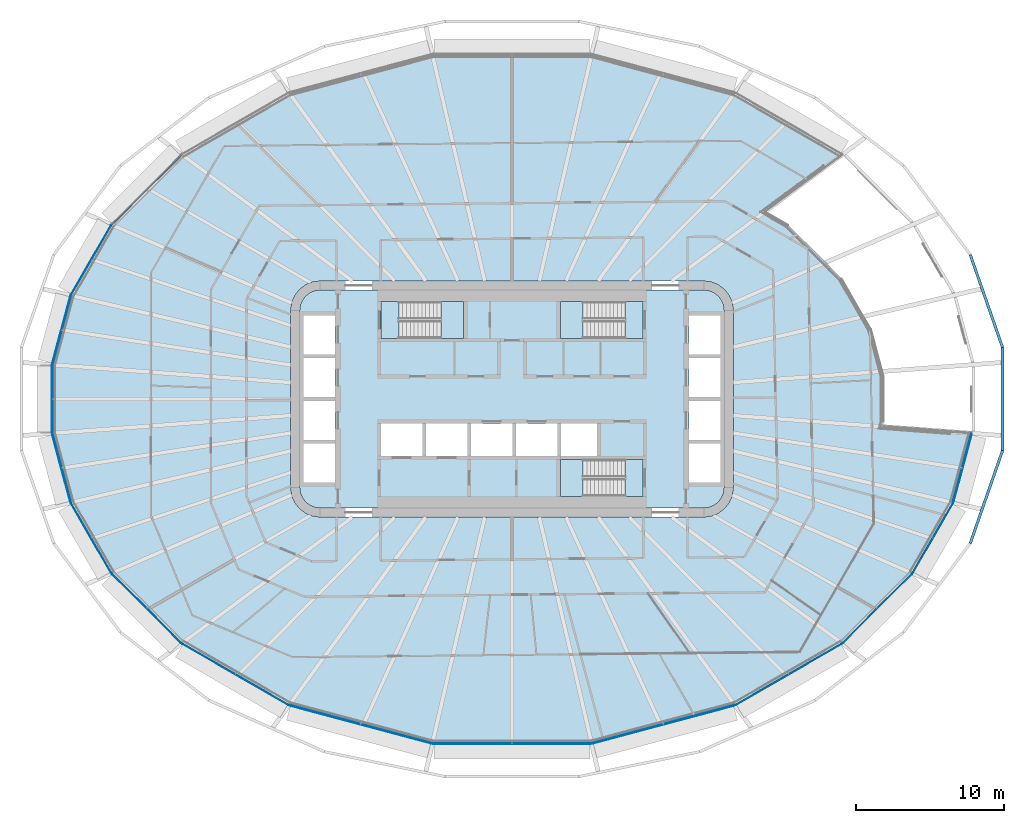
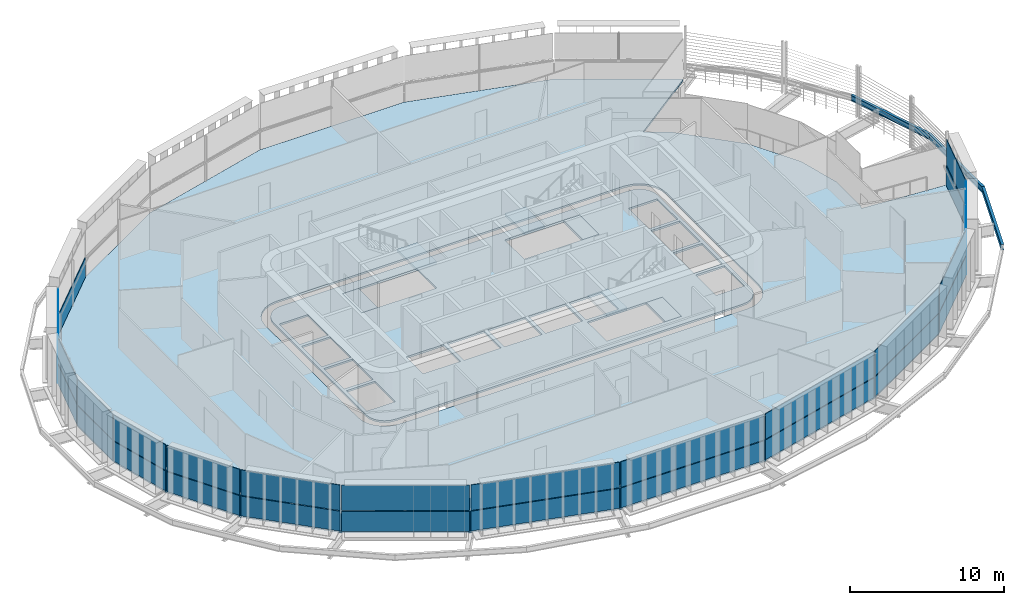
# One storey, part 11 of 24: 29 plates, 8 slabs, 3 beams, 18 elements without a shape of their own.
"""IFC4 building model written with IfcOpenShell, lengths in metres."""

from ifc_helpers import new_model, si_unit, direction, frame, origin, origin_2d, place, context, subcontext, project, spatial, polyline, i_section, outline, extrude, material, layer, layer_set, material_profile, profile_set, type_object, element, aggregate, save


model = new_model("IFC4")

# Units and contexts
model_context = context("Model", 3, precision=1e-05, world=origin(), true_north=direction((0.0, 1.0)))
body_context = subcontext(model_context, "Body", "Model", "MODEL_VIEW")
ifc_project = project(units=[si_unit("LENGTHUNIT", "METRE"), si_unit("AREAUNIT", "SQUARE_METRE"), si_unit("VOLUMEUNIT", "CUBIC_METRE"), si_unit("PLANEANGLEUNIT", "RADIAN"), si_unit("MASSUNIT", "GRAM", prefix="KILO")], contexts=[model_context])

# Site, building, storey
site_placement = place(None, origin())
site = spatial("IfcSite", under=ifc_project, at=site_placement, CompositionType="ELEMENT")
building_placement = place(site_placement, origin())
building = spatial("IfcBuilding", under=site, at=building_placement, Name="Sahrelin Media Tower", CompositionType="ELEMENT")
storey_placement = place(building_placement, frame((0.0, 0.0, 71.39990234375)))
storey = spatial("IfcBuildingStorey", under=building, at=storey_placement, Name="L12", CompositionType="ELEMENT", Elevation=71.39990234375)

# Beams
ifc_material_1 = material(Name="Steel S355", Category="steel")
ifc_material_profile = material_profile(ifc_material_1, i_section(OverallWidth=0.1904296875, OverallDepth=0.45703125, WebThickness=0.009033203125, FlangeThickness=0.014404296875, FilletRadius=0.01025390625, at=origin_2d()), Name="UB 457x191x74")
ifc_profile_set = profile_set([ifc_material_profile], Name="Steel S355")
beam_type = type_object("IfcBeamType", Name="Tie chord TC5", PredefinedType="BEAM", material=ifc_profile_set)
for number, where, z_axis, x_axis, name in (
    (1, (33.258056640625, 3.486083984375, -0.37841796875), (-0.328772095294, 0.944409291227, 0.0), (-0.944409291227, -0.328772095294, 0.0), "Tie chord L12-01"),
    (2, (31.06689453125, -9.7802734375, -0.37841796875), (0.328772095294, 0.944409291227, 0.0), (-0.944409291227, 0.328772095294, 0.0), "Tie chord L12-23"),
):
    element("IfcBeam", number, at=place(storey_placement, frame(where, z_axis=z_axis, x_axis=x_axis)), inside=storey, type_object=beam_type, Name=name, PredefinedType="BEAM", context=body_context, shape_type="SweptSolid", body=[
        extrude(i_section(OverallWidth=0.1904296875, OverallDepth=0.45703125, WebThickness=0.009033203125, FlangeThickness=0.014404296875, FilletRadius=0.01025390625, at=origin_2d()), origin(), (0.0, 0.0, 1.0), 6.664794921875),
    ])
beam_placement = place(storey_placement, frame((33.258056640625, -3.486083984375, -0.37841796875), z_axis=(0.0, 1.0, 0.0), x_axis=(-1.0, 0.0, 0.0)))
element("IfcBeam", 3, at=beam_placement, inside=storey, type_object=beam_type, Name="Tie chord L12-24", PredefinedType="BEAM", context=body_context, shape_type="SweptSolid", body=[
    extrude(i_section(OverallWidth=0.1904296875, OverallDepth=0.45703125, WebThickness=0.009033203125, FlangeThickness=0.014404296875, FilletRadius=0.01025390625, at=origin_2d()), origin(), (0.0, 0.0, 1.0), 6.97216796875),
])

# Slabs
ifc_material_2 = material(Name="Concrete C40/50", Category="concrete")
ifc_layer_1 = layer(ifc_material_2, 0.14990234375)
ifc_layer_set_1 = layer_set([ifc_layer_1], Name="Composite floor slab 150")
slab_type_1 = type_object("IfcSlabType", Name="Composite floor slab 150", PredefinedType="FLOOR", material=ifc_layer_set_1)
placement_1 = place(storey_placement, frame((0.0, 0.0, -0.14990234375)))
element("IfcSlab", 4, at=placement_1, inside=storey, type_object=slab_type_1, Name="Floor slab L12", PredefinedType="FLOOR", context=body_context, shape_type="SweptSolid", body=[
    extrude(outline(polyline([(29.8994140625, -7.014404296875), (31.156494140625, -2.3232421875), (25.086669921875, -1.87060546875), (25.1767578125, -1.534912109375), (25.1767578125, 1.534912109375), (24.326904296875, 4.706298828125), (22.34912109375, 8.1318359375), (18.708251953125, 11.772705078125), (17.1337890625, 12.681884765625), (22.374755859375, 16.56103515625), (15.116455078125, 20.751708984375), (5.401123046875, 23.354736328125), (-5.401123046875, 23.354736328125), (-15.116455078125, 20.751708984375), (-22.3798828125, 16.55810546875), (-27.134521484375, 11.8037109375), (-29.8994140625, 7.014404296875), (-31.15673828125, 2.322021484375), (-31.15673828125, -2.322021484375), (-29.8994140625, -7.014404296875), (-27.134521484375, -11.8037109375), (-22.3798828125, -16.55810546875), (-15.116455078125, -20.751708984375), (-5.401123046875, -23.354736328125), (5.401123046875, -23.354736328125), (15.116455078125, -20.751708984375), (22.3798828125, -16.55810546875), (27.134521484375, -11.8037109375), (29.8994140625, -7.014404296875)]), holes=[polyline([(14.732177734375, 7.0), (14.931884765625, 6.517578125), (15.0, 6.0), (15.0, -6.0), (14.931884765625, -6.517578125), (14.732177734375, -7.0), (14.414306640625, -7.414306640625), (14.0, -7.732177734375), (13.517578125, -7.931884765625), (13.0, -8.0), (-13.0, -8.0), (-13.517578125, -7.931884765625), (-14.0, -7.732177734375), (-14.414306640625, -7.414306640625), (-14.732177734375, -7.0), (-14.931884765625, -6.517578125), (-15.0, -6.0), (-15.0, 6.0), (-14.931884765625, 6.517578125), (-14.732177734375, 7.0), (-14.414306640625, 7.414306640625), (-14.0, 7.732177734375), (-13.517578125, 7.931884765625), (-13.0, 8.0), (13.0, 8.0), (13.517578125, 7.931884765625), (14.0, 7.732177734375), (14.414306640625, 7.414306640625), (14.732177734375, 7.0)])]), origin(), (0.0, 0.0, 1.0), 0.14990234375),
])
ifc_layer_2 = layer(ifc_material_2, 0.14990234375)
ifc_layer_set_2 = layer_set([ifc_layer_2], Name="Core floor slab 150")
slab_type_2 = type_object("IfcSlabType", Name="Core floor slab 150", PredefinedType="FLOOR", material=ifc_layer_set_2)
element("IfcSlab", 5, at=placement_1, inside=storey, type_object=slab_type_2, Name="Core floor", PredefinedType="FLOOR", context=body_context, shape_type="SweptSolid", body=[
    extrude(outline(polyline([(-14.347412109375, 6.361083984375), (-14.39990234375, 5.960693359375), (-14.39990234375, -5.960693359375), (-14.347412109375, -6.361083984375), (-14.2080078125, -6.697509765625), (-13.986328125, -6.986328125), (-13.697509765625, -7.2080078125), (-13.361083984375, -7.347412109375), (-12.960693359375, -7.39990234375), (12.960693359375, -7.39990234375), (13.361083984375, -7.347412109375), (13.697509765625, -7.2080078125), (13.986328125, -6.986328125), (14.2080078125, -6.697509765625), (14.347412109375, -6.361083984375), (14.39990234375, -5.960693359375), (14.39990234375, 5.960693359375), (14.347412109375, 6.361083984375), (14.2080078125, 6.697509765625), (13.986328125, 6.986328125), (13.697509765625, 7.2080078125), (13.361083984375, 7.347412109375), (12.960693359375, 7.39990234375), (-12.960693359375, 7.39990234375), (-13.361083984375, 7.347412109375), (-13.697509765625, 7.2080078125), (-13.986328125, 6.986328125), (-14.2080078125, 6.697509765625), (-14.347412109375, 6.361083984375)]), holes=[polyline([(-12.0, 3.02490234375), (-12.0, 5.675048828125), (-14.14990234375, 5.675048828125), (-14.14990234375, 3.02490234375), (-12.0, 3.02490234375)]), polyline([(-14.14990234375, 0.125), (-12.0, 0.125), (-12.0, 2.77490234375), (-14.14990234375, 2.77490234375), (-14.14990234375, 0.125)]), polyline([(-14.14990234375, -0.125), (-14.14990234375, -2.77490234375), (-12.0, -2.77490234375), (-12.0, -0.125), (-14.14990234375, -0.125)]), polyline([(-12.0, -3.02490234375), (-14.14990234375, -3.02490234375), (-14.14990234375, -5.675048828125), (-12.0, -5.675048828125), (-12.0, -3.02490234375)]), polyline([(14.14990234375, 3.02490234375), (14.14990234375, 5.675048828125), (12.0, 5.675048828125), (12.0, 3.02490234375), (14.14990234375, 3.02490234375)]), polyline([(12.0, 0.125), (14.14990234375, 0.125), (14.14990234375, 2.77490234375), (12.0, 2.77490234375), (12.0, 0.125)]), polyline([(12.0, -0.125), (12.0, -2.77490234375), (14.14990234375, -2.77490234375), (14.14990234375, -0.125), (12.0, -0.125)]), polyline([(14.14990234375, -3.02490234375), (12.0, -3.02490234375), (12.0, -5.675048828125), (14.14990234375, -5.675048828125), (14.14990234375, -3.02490234375)]), polyline([(-6.074951171875, -3.85009765625), (-6.074951171875, -1.64990234375), (-8.875, -1.64990234375), (-8.875, -3.85009765625), (-6.074951171875, -3.85009765625)]), polyline([(-5.824951171875, -3.85009765625), (-3.02490234375, -3.85009765625), (-3.02490234375, -1.64990234375), (-5.824951171875, -1.64990234375), (-5.824951171875, -3.85009765625)]), polyline([(-2.77490234375, -1.64990234375), (-2.77490234375, -3.85009765625), (0.02490234375, -3.85009765625), (0.02490234375, -1.64990234375), (-2.77490234375, -1.64990234375)]), polyline([(3.074951171875, -1.64990234375), (0.27490234375, -1.64990234375), (0.27490234375, -3.85009765625), (3.074951171875, -3.85009765625), (3.074951171875, -1.64990234375)]), polyline([(5.77490234375, -3.85009765625), (5.77490234375, -1.64990234375), (3.324951171875, -1.64990234375), (3.324951171875, -3.85009765625), (5.77490234375, -3.85009765625)]), polyline([(-8.875, 6.60009765625), (-8.875, 4.10009765625), (-3.27490234375, 4.10009765625), (-3.27490234375, 6.60009765625), (-8.875, 6.60009765625)]), polyline([(3.27490234375, 4.10009765625), (8.875, 4.10009765625), (8.875, 6.60009765625), (3.27490234375, 6.60009765625), (3.27490234375, 4.10009765625)]), polyline([(3.27490234375, -4.10009765625), (3.27490234375, -6.60009765625), (8.875, -6.60009765625), (8.875, -4.10009765625), (3.27490234375, -4.10009765625)])]), origin(), (0.0, 0.0, 1.0), 0.14990234375),
])

# Curtain wall, plate
ifc_material_3 = material(Name="Champagne anodised aluminium 6063-T6", Category="aluminium")
ifc_layer_3 = layer(ifc_material_3, 0.14990234375)
ifc_layer_set_3 = layer_set([ifc_layer_3], Name="Tower ribbon curtain wall")
curtain_wall_type = type_object("IfcCurtainWallType", Name="Tower ribbon curtain wall", PredefinedType="NOTDEFINED", material=ifc_layer_set_3)
curtain_wall_1_placement = place(storey_placement, frame((-28.5341796875, 9.4189453125, 0.0), z_axis=(0.0, 0.0, 1.0), x_axis=(1.0, 0.0, 0.0)))
curtain_wall_1 = element("IfcCurtainWall", 6, at=curtain_wall_1_placement, inside=storey, type_object=curtain_wall_type, Name="L12:CW:L12-10", PredefinedType="NOTDEFINED")
ifc_material_4 = material(Name="Clear low-iron glazing", Category="glass")
ifc_layer_4 = layer(ifc_material_4, 0.0400390625)
ifc_layer_set_4 = layer_set([ifc_layer_4], Name="Glazing panel 40 mm CW1")
plate_type_1 = type_object("IfcPlateType", Name="Glazing panel 40 mm CW1", PredefinedType="CURTAIN_PANEL", material=ifc_layer_set_4)
plate_1_placement = place(storey_placement, frame((-27.192626953125, 11.78271484375, 1.630126953125), z_axis=(-0.866023274877, 0.500003687357, 0.0), x_axis=(-0.500003687357, -0.866023274877, 0.0)))
plate_1 = element("IfcPlate", 7, at=plate_1_placement, type_object=plate_type_1, Name="L12:CWP2:L12-10", PredefinedType="CURTAIN_PANEL", context=body_context, shape_type="SweptSolid", body=[
    extrude(outline(polyline([(0.0, 0.0), (5.435546875, 0.0), (5.435546875, 2.0185546875), (0.0, 2.0185546875), (0.0, 0.0)])), origin(), (0.0, 0.0, -1.0), 0.0400390625),
])

curtain_wall_2_placement = place(storey_placement, frame((-30.54736328125, 4.67333984375, 0.0), z_axis=(0.0, 0.0, 1.0), x_axis=(1.0, 0.0, 0.0)))
curtain_wall_2 = element("IfcCurtainWall", 8, at=curtain_wall_2_placement, inside=storey, type_object=curtain_wall_type, Name="L12:CW:L12-11", PredefinedType="NOTDEFINED")
plate_2_placement = place(storey_placement, frame((-29.950439453125, 6.97900390625, 1.630126953125), z_axis=(-0.965932265513, 0.258795012395, 0.0), x_axis=(-0.258795012395, -0.965932265513, 0.0)))
plate_2 = element("IfcPlate", 9, at=plate_2_placement, type_object=plate_type_1, Name="L12:CWP2:L12-11", PredefinedType="CURTAIN_PANEL", context=body_context, shape_type="SweptSolid", body=[
    extrude(outline(polyline([(0.0, 0.0), (4.76318359375, 0.0), (4.76318359375, 2.0185546875), (0.0, 2.0185546875), (0.0, 0.0)])), origin(), (0.0, 0.0, -1.0), 0.0400390625),
])

curtain_wall_3_placement = place(storey_placement, frame((-31.1767578125, 0.0, 0.0), z_axis=(0.0, 0.0, 1.0), x_axis=(1.0, 0.0, 0.0)))
curtain_wall_3 = element("IfcCurtainWall", 10, at=curtain_wall_3_placement, inside=storey, type_object=curtain_wall_type, Name="L12:CW:L12-12", PredefinedType="NOTDEFINED")
plate_3_placement = place(storey_placement, frame((-31.19677734375, 2.274658203125, 1.630126953125), z_axis=(-1.0, 0.0, 0.0), x_axis=(0.0, -1.0, 0.0)))
plate_3 = element("IfcPlate", 11, at=plate_3_placement, type_object=plate_type_1, Name="L12:CWP2:L12-12", PredefinedType="CURTAIN_PANEL", context=body_context, shape_type="SweptSolid", body=[
    extrude(outline(polyline([(0.0, 0.0), (4.54931640625, 0.0), (4.54931640625, 2.0185546875), (0.0, 2.0185546875), (0.0, 0.0)])), origin(), (0.0, 0.0, -1.0), 0.0400390625),
])

curtain_wall_4_placement = place(storey_placement, frame((-30.54736328125, -4.67333984375, 0.0), z_axis=(0.0, 0.0, 1.0), x_axis=(1.0, 0.0, 0.0)))
curtain_wall_4 = element("IfcCurtainWall", 12, at=curtain_wall_4_placement, inside=storey, type_object=curtain_wall_type, Name="L12:CW:L12-13", PredefinedType="NOTDEFINED")
plate_4_placement = place(storey_placement, frame((-31.18310546875, -2.378173828125, 1.630126953125), z_axis=(-0.965932265513, -0.258795012395, 0.0), x_axis=(0.258795012395, -0.965932265513, 0.0)))
plate_4 = element("IfcPlate", 13, at=plate_4_placement, type_object=plate_type_1, Name="L12:CWP2:L12-13", PredefinedType="CURTAIN_PANEL", context=body_context, shape_type="SweptSolid", body=[
    extrude(outline(polyline([(0.0, 0.0), (4.76318359375, 0.0), (4.76318359375, 2.0185546875), (0.0, 2.0185546875), (0.0, 0.0)])), origin(), (0.0, 0.0, -1.0), 0.0400390625),
])

curtain_wall_5_placement = place(storey_placement, frame((-28.5341796875, -9.4189453125, 0.0), z_axis=(0.0, 0.0, 1.0), x_axis=(1.0, 0.0, 0.0)))
curtain_wall_5 = element("IfcCurtainWall", 14, at=curtain_wall_5_placement, inside=storey, type_object=curtain_wall_type, Name="L12:CW:L12-14", PredefinedType="NOTDEFINED")
plate_5_placement = place(storey_placement, frame((-29.910400390625, -7.075439453125, 1.630126953125), z_axis=(-0.866023274877, -0.500003687357, 0.0), x_axis=(0.500003687357, -0.866023274877, 0.0)))
plate_5 = element("IfcPlate", 15, at=plate_5_placement, type_object=plate_type_1, Name="L12:CWP2:L12-14", PredefinedType="CURTAIN_PANEL", context=body_context, shape_type="SweptSolid", body=[
    extrude(outline(polyline([(0.0, 0.0), (5.435546875, 0.0), (5.435546875, 2.0185546875), (0.0, 2.0185546875), (0.0, 0.0)])), origin(), (0.0, 0.0, -1.0), 0.0400390625),
])

curtain_wall_6_placement = place(storey_placement, frame((-24.771484375, -14.195068359375, 0.0), z_axis=(0.0, 0.0, 1.0), x_axis=(1.0, 0.0, 0.0)))
curtain_wall_6 = element("IfcCurtainWall", 16, at=curtain_wall_6_placement, inside=storey, type_object=curtain_wall_type, Name="L12:CW:L12-15", PredefinedType="NOTDEFINED")
plate_6_placement = place(storey_placement, frame((-27.129150390625, -11.865478515625, 1.630126953125), z_axis=(-0.707106781187, -0.707106781187, 0.0), x_axis=(0.707106781187, -0.707106781187, 0.0)))
plate_6 = element("IfcPlate", 17, at=plate_6_placement, type_object=plate_type_1, Name="L12:CWP2:L12-15", PredefinedType="CURTAIN_PANEL", context=body_context, shape_type="SweptSolid", body=[
    extrude(outline(polyline([(0.0, 0.0), (6.628662109375, 0.0), (6.628662109375, 2.0185546875), (0.0, 2.0185546875), (0.0, 0.0)])), origin(), (0.0, 0.0, -1.0), 0.0400390625),
])

curtain_wall_7_placement = place(storey_placement, frame((-18.75830078125, -18.672119140625, 0.0), z_axis=(0.0, 0.0, 1.0), x_axis=(1.0, 0.0, 0.0)))
curtain_wall_7 = element("IfcCurtainWall", 18, at=curtain_wall_7_placement, inside=storey, type_object=curtain_wall_type, Name="L12:CW:L12-16", PredefinedType="NOTDEFINED")
plate_7_placement = place(storey_placement, frame((-22.35888671875, -16.6162109375, 1.630126953125), z_axis=(-0.500005339912, -0.866022320763, 0.0), x_axis=(0.866022320763, -0.500005339912, 0.0)))
plate_7 = element("IfcPlate", 19, at=plate_7_placement, type_object=plate_type_1, Name="L12:CWP2:L12-16", PredefinedType="CURTAIN_PANEL", context=body_context, shape_type="SweptSolid", body=[
    extrude(outline(polyline([(0.0, 0.0), (8.29248046875, 0.0), (8.29248046875, 2.0185546875), (0.0, 2.0185546875), (0.0, 0.0)])), origin(), (0.0, 0.0, -1.0), 0.0400390625),
])

curtain_wall_8_placement = place(storey_placement, frame((-10.263916015625, -22.072509765625, 0.0), z_axis=(0.0, 0.0, 1.0), x_axis=(1.0, 0.0, 0.0)))
curtain_wall_8 = element("IfcCurtainWall", 20, at=curtain_wall_8_placement, inside=storey, type_object=curtain_wall_type, Name="L12:CW:L12-17", PredefinedType="NOTDEFINED")
plate_8_placement = place(storey_placement, frame((-15.0810546875, -20.802490234375, 1.630126953125), z_axis=(-0.258812432843, -0.965927598014, 0.0), x_axis=(0.965927598014, -0.258812432843, 0.0)))
plate_8 = element("IfcPlate", 21, at=plate_8_placement, type_object=plate_type_1, Name="L12:CWP2:L12-17", PredefinedType="CURTAIN_PANEL", context=body_context, shape_type="SweptSolid", body=[
    extrude(outline(polyline([(0.0, 0.0), (9.963134765625, 0.0), (9.963134765625, 2.0185546875), (0.0, 2.0185546875), (0.0, 0.0)])), origin(), (0.0, 0.0, -1.0), 0.0400390625),
])

curtain_wall_9_placement = place(storey_placement, frame((0.0, -23.374755859375, 0.0), z_axis=(0.0, 0.0, 1.0), x_axis=(1.0, 0.0, 0.0)))
curtain_wall_9 = element("IfcCurtainWall", 22, at=curtain_wall_9_placement, inside=storey, type_object=curtain_wall_type, Name="L12:CW:L12-18", PredefinedType="NOTDEFINED")
plate_9_placement = place(storey_placement, frame((-5.353759765625, -23.394775390625, 1.630126953125), z_axis=(0.0, -1.0, 0.0), x_axis=(1.0, 0.0, 0.0)))
plate_9 = element("IfcPlate", 23, at=plate_9_placement, type_object=plate_type_1, Name="L12:CWP2:L12-18", PredefinedType="CURTAIN_PANEL", context=body_context, shape_type="SweptSolid", body=[
    extrude(outline(polyline([(0.0, 0.0), (10.70751953125, 0.0), (10.70751953125, 2.0185546875), (0.0, 2.0185546875), (0.0, 0.0)])), origin(), (0.0, 0.0, -1.0), 0.0400390625),
])

curtain_wall_10_placement = place(storey_placement, frame((10.263916015625, -22.072509765625, 0.0), z_axis=(0.0, 0.0, 1.0), x_axis=(1.0, 0.0, 0.0)))
curtain_wall_10 = element("IfcCurtainWall", 24, at=curtain_wall_10_placement, inside=storey, type_object=curtain_wall_type, Name="L12:CW:L12-19", PredefinedType="NOTDEFINED")
plate_10_placement = place(storey_placement, frame((5.457275390625, -23.381103515625, 1.630126953125), z_axis=(0.258812432843, -0.965927598014, 0.0), x_axis=(0.965927598014, 0.258812432843, 0.0)))
plate_10 = element("IfcPlate", 25, at=plate_10_placement, type_object=plate_type_1, Name="L12:CWP2:L12-19", PredefinedType="CURTAIN_PANEL", context=body_context, shape_type="SweptSolid", body=[
    extrude(outline(polyline([(0.0, 0.0), (9.963134765625, 0.0), (9.963134765625, 2.0185546875), (0.0, 2.0185546875), (0.0, 0.0)])), origin(), (0.0, 0.0, -1.0), 0.0400390625),
])

curtain_wall_11_placement = place(storey_placement, frame((18.75830078125, -18.672119140625, 0.0), z_axis=(0.0, 0.0, 1.0), x_axis=(1.0, 0.0, 0.0)))
curtain_wall_11 = element("IfcCurtainWall", 26, at=curtain_wall_11_placement, inside=storey, type_object=curtain_wall_type, Name="L12:CW:L12-20", PredefinedType="NOTDEFINED")
plate_11_placement = place(storey_placement, frame((15.177490234375, -20.762451171875, 1.630126953125), z_axis=(0.500005339912, -0.866022320763, 0.0), x_axis=(0.866022320763, 0.500005339912, 0.0)))
plate_11 = element("IfcPlate", 27, at=plate_11_placement, type_object=plate_type_1, Name="L12:CWP2:L12-20", PredefinedType="CURTAIN_PANEL", context=body_context, shape_type="SweptSolid", body=[
    extrude(outline(polyline([(0.0, 0.0), (8.29248046875, 0.0), (8.29248046875, 2.0185546875), (0.0, 2.0185546875), (0.0, 0.0)])), origin(), (0.0, 0.0, -1.0), 0.0400390625),
])

curtain_wall_12_placement = place(storey_placement, frame((24.771240234375, -14.19482421875, 0.0), z_axis=(0.0, 0.0, 1.0), x_axis=(1.0, 0.0, 0.0)))
curtain_wall_12 = element("IfcCurtainWall", 28, at=curtain_wall_12_placement, inside=storey, type_object=curtain_wall_type, Name="L12:CW:L12-21", PredefinedType="NOTDEFINED")
plate_12_placement = place(storey_placement, frame((22.44189453125, -16.552734375, 1.630126953125), z_axis=(0.707106781187, -0.707106781187, 0.0), x_axis=(0.707106781187, 0.707106781187, 0.0)))
plate_12 = element("IfcPlate", 29, at=plate_12_placement, type_object=plate_type_1, Name="L12:CWP2:L12-21", PredefinedType="CURTAIN_PANEL", context=body_context, shape_type="SweptSolid", body=[
    extrude(outline(polyline([(0.0, 0.0), (6.628662109375, 0.0), (6.628662109375, 2.0185546875), (0.0, 2.0185546875), (0.0, 0.0)])), origin(), (0.0, 0.0, -1.0), 0.0400390625),
])

curtain_wall_13_placement = place(storey_placement, frame((28.5341796875, -9.4189453125, 0.0), z_axis=(0.0, 0.0, 1.0), x_axis=(1.0, 0.0, 0.0)))
curtain_wall_13 = element("IfcCurtainWall", 30, at=curtain_wall_13_placement, inside=storey, type_object=curtain_wall_type, Name="L12:CW:L12-22", PredefinedType="NOTDEFINED")
plate_13_placement = place(storey_placement, frame((27.192626953125, -11.78271484375, 1.630126953125), z_axis=(0.866023274877, -0.500003687357, 0.0), x_axis=(0.500003687357, 0.866023274877, 0.0)))
plate_13 = element("IfcPlate", 31, at=plate_13_placement, type_object=plate_type_1, Name="L12:CWP2:L12-22", PredefinedType="CURTAIN_PANEL", context=body_context, shape_type="SweptSolid", body=[
    extrude(outline(polyline([(0.0, 0.0), (5.435546875, 0.0), (5.435546875, 2.0185546875), (0.0, 2.0185546875), (0.0, 0.0)])), origin(), (0.0, 0.0, -1.0), 0.0400390625),
])

curtain_wall_14_placement = place(storey_placement, frame((30.54736328125, -4.67333984375, 0.0), z_axis=(0.0, 0.0, 1.0), x_axis=(1.0, 0.0, 0.0)))
curtain_wall_14 = element("IfcCurtainWall", 32, at=curtain_wall_14_placement, inside=storey, type_object=curtain_wall_type, Name="L12:CW:L12-23", PredefinedType="NOTDEFINED")
plate_14_placement = place(storey_placement, frame((29.950439453125, -6.97900390625, 1.630126953125), z_axis=(0.965932265513, -0.258795012395, 0.0), x_axis=(0.258795012395, 0.965932265513, 0.0)))
plate_14 = element("IfcPlate", 33, at=plate_14_placement, type_object=plate_type_1, Name="L12:CWP2:L12-23", PredefinedType="CURTAIN_PANEL", context=body_context, shape_type="SweptSolid", body=[
    extrude(outline(polyline([(0.0, 0.0), (4.76318359375, 0.0), (4.76318359375, 2.0185546875), (0.0, 2.0185546875), (0.0, 0.0)])), origin(), (0.0, 0.0, -1.0), 0.0400390625),
])

curtain_wall_15_placement = place(storey_placement, frame((-24.771240234375, 14.19482421875, 0.0), z_axis=(0.0, 0.0, 1.0), x_axis=(1.0, 0.0, 0.0)))
curtain_wall_15 = element("IfcCurtainWall", 34, at=curtain_wall_15_placement, inside=storey, type_object=curtain_wall_type, Name="L12:CW:L12-09", PredefinedType="NOTDEFINED")
ifc_material_5 = material(Name="Insulated spandrel panel")
ifc_layer_5 = layer(ifc_material_5, 0.06005859375)
ifc_layer_set_5 = layer_set([ifc_layer_5], Name="Spandrel panel 60 mm CW1")
plate_type_2 = type_object("IfcPlateType", Name="Spandrel panel 60 mm CW1", PredefinedType="SHEET", material=ifc_layer_set_5)
plate_15_placement = place(storey_placement, frame((-22.44189453125, 16.552734375, 0.0), z_axis=(-0.707106781187, 0.707106781187, 0.0), x_axis=(-0.707106781187, -0.707106781187, 0.0)))
plate_15 = element("IfcPlate", 35, at=plate_15_placement, type_object=plate_type_2, Name="L12:CWP1:L12-09", PredefinedType="SHEET", context=body_context, shape_type="SweptSolid", body=[
    extrude(outline(polyline([(0.0, 0.0), (6.628662109375, 0.0), (6.628662109375, 1.570068359375), (0.0, 1.570068359375), (0.0, 0.0)])), origin(), (0.0, 0.0, -1.0), 0.06005859375),
])
aggregate(curtain_wall_15, [plate_15])

# Plate
plate_16_placement = place(storey_placement, frame((-27.192626953125, 11.78271484375, 0.0), z_axis=(-0.866023274877, 0.500003687357, 0.0), x_axis=(-0.500003687357, -0.866023274877, 0.0)))
plate_16 = element("IfcPlate", 36, at=plate_16_placement, type_object=plate_type_2, Name="L12:CWP1:L12-10", PredefinedType="SHEET", context=body_context, shape_type="SweptSolid", body=[
    extrude(outline(polyline([(0.0, 0.0), (5.435546875, 0.0), (5.435546875, 1.570068359375), (0.0, 1.570068359375), (0.0, 0.0)])), origin(), (0.0, 0.0, -1.0), 0.06005859375),
])

aggregate(curtain_wall_1, [plate_16, plate_1])

plate_17_placement = place(storey_placement, frame((-29.950439453125, 6.97900390625, 0.0), z_axis=(-0.965932265513, 0.258795012395, 0.0), x_axis=(-0.258795012395, -0.965932265513, 0.0)))
plate_17 = element("IfcPlate", 37, at=plate_17_placement, type_object=plate_type_2, Name="L12:CWP1:L12-11", PredefinedType="SHEET", context=body_context, shape_type="SweptSolid", body=[
    extrude(outline(polyline([(0.0, 0.0), (4.76318359375, 0.0), (4.76318359375, 1.570068359375), (0.0, 1.570068359375), (0.0, 0.0)])), origin(), (0.0, 0.0, -1.0), 0.06005859375),
])

aggregate(curtain_wall_2, [plate_17, plate_2])

plate_18_placement = place(storey_placement, frame((-31.19677734375, 2.274658203125, 0.0), z_axis=(-1.0, 0.0, 0.0), x_axis=(0.0, -1.0, 0.0)))
plate_18 = element("IfcPlate", 38, at=plate_18_placement, type_object=plate_type_2, Name="L12:CWP1:L12-12", PredefinedType="SHEET", context=body_context, shape_type="SweptSolid", body=[
    extrude(outline(polyline([(0.0, 0.0), (4.54931640625, 0.0), (4.54931640625, 1.570068359375), (0.0, 1.570068359375), (0.0, 0.0)])), origin(), (0.0, 0.0, -1.0), 0.06005859375),
])

aggregate(curtain_wall_3, [plate_18, plate_3])

plate_19_placement = place(storey_placement, frame((-31.18310546875, -2.378173828125, 0.0), z_axis=(-0.965932265513, -0.258795012395, 0.0), x_axis=(0.258795012395, -0.965932265513, 0.0)))
plate_19 = element("IfcPlate", 39, at=plate_19_placement, type_object=plate_type_2, Name="L12:CWP1:L12-13", PredefinedType="SHEET", context=body_context, shape_type="SweptSolid", body=[
    extrude(outline(polyline([(0.0, 0.0), (4.76318359375, 0.0), (4.76318359375, 1.570068359375), (0.0, 1.570068359375), (0.0, 0.0)])), origin(), (0.0, 0.0, -1.0), 0.06005859375),
])

aggregate(curtain_wall_4, [plate_19, plate_4])

plate_20_placement = place(storey_placement, frame((-29.910400390625, -7.075439453125, 0.0), z_axis=(-0.866023274877, -0.500003687357, 0.0), x_axis=(0.500003687357, -0.866023274877, 0.0)))
plate_20 = element("IfcPlate", 40, at=plate_20_placement, type_object=plate_type_2, Name="L12:CWP1:L12-14", PredefinedType="SHEET", context=body_context, shape_type="SweptSolid", body=[
    extrude(outline(polyline([(0.0, 0.0), (5.435546875, 0.0), (5.435546875, 1.570068359375), (0.0, 1.570068359375), (0.0, 0.0)])), origin(), (0.0, 0.0, -1.0), 0.06005859375),
])

aggregate(curtain_wall_5, [plate_20, plate_5])

plate_21_placement = place(storey_placement, frame((-27.129150390625, -11.865478515625, 0.0), z_axis=(-0.707106781187, -0.707106781187, 0.0), x_axis=(0.707106781187, -0.707106781187, 0.0)))
plate_21 = element("IfcPlate", 41, at=plate_21_placement, type_object=plate_type_2, Name="L12:CWP1:L12-15", PredefinedType="SHEET", context=body_context, shape_type="SweptSolid", body=[
    extrude(outline(polyline([(0.0, 0.0), (6.628662109375, 0.0), (6.628662109375, 1.570068359375), (0.0, 1.570068359375), (0.0, 0.0)])), origin(), (0.0, 0.0, -1.0), 0.06005859375),
])

aggregate(curtain_wall_6, [plate_21, plate_6])

plate_22_placement = place(storey_placement, frame((-22.35888671875, -16.6162109375, 0.0), z_axis=(-0.500005339912, -0.866022320763, 0.0), x_axis=(0.866022320763, -0.500005339912, 0.0)))
plate_22 = element("IfcPlate", 42, at=plate_22_placement, type_object=plate_type_2, Name="L12:CWP1:L12-16", PredefinedType="SHEET", context=body_context, shape_type="SweptSolid", body=[
    extrude(outline(polyline([(0.0, 0.0), (8.29248046875, 0.0), (8.29248046875, 1.570068359375), (0.0, 1.570068359375), (0.0, 0.0)])), origin(), (0.0, 0.0, -1.0), 0.06005859375),
])

aggregate(curtain_wall_7, [plate_22, plate_7])

plate_23_placement = place(storey_placement, frame((-15.0810546875, -20.802490234375, 0.0), z_axis=(-0.258812432843, -0.965927598014, 0.0), x_axis=(0.965927598014, -0.258812432843, 0.0)))
plate_23 = element("IfcPlate", 43, at=plate_23_placement, type_object=plate_type_2, Name="L12:CWP1:L12-17", PredefinedType="SHEET", context=body_context, shape_type="SweptSolid", body=[
    extrude(outline(polyline([(0.0, 0.0), (9.963134765625, 0.0), (9.963134765625, 1.570068359375), (0.0, 1.570068359375), (0.0, 0.0)])), origin(), (0.0, 0.0, -1.0), 0.06005859375),
])

aggregate(curtain_wall_8, [plate_23, plate_8])

plate_24_placement = place(storey_placement, frame((-5.353759765625, -23.394775390625, 0.0), z_axis=(0.0, -1.0, 0.0), x_axis=(1.0, 0.0, 0.0)))
plate_24 = element("IfcPlate", 44, at=plate_24_placement, type_object=plate_type_2, Name="L12:CWP1:L12-18", PredefinedType="SHEET", context=body_context, shape_type="SweptSolid", body=[
    extrude(outline(polyline([(0.0, 0.0), (10.70751953125, 0.0), (10.70751953125, 1.570068359375), (0.0, 1.570068359375), (0.0, 0.0)])), origin(), (0.0, 0.0, -1.0), 0.06005859375),
])

aggregate(curtain_wall_9, [plate_24, plate_9])

plate_25_placement = place(storey_placement, frame((5.457275390625, -23.381103515625, 0.0), z_axis=(0.258812432843, -0.965927598014, 0.0), x_axis=(0.965927598014, 0.258812432843, 0.0)))
plate_25 = element("IfcPlate", 45, at=plate_25_placement, type_object=plate_type_2, Name="L12:CWP1:L12-19", PredefinedType="SHEET", context=body_context, shape_type="SweptSolid", body=[
    extrude(outline(polyline([(0.0, 0.0), (9.963134765625, 0.0), (9.963134765625, 1.570068359375), (0.0, 1.570068359375), (0.0, 0.0)])), origin(), (0.0, 0.0, -1.0), 0.06005859375),
])

aggregate(curtain_wall_10, [plate_25, plate_10])

plate_26_placement = place(storey_placement, frame((15.177490234375, -20.762451171875, 0.0), z_axis=(0.500005339912, -0.866022320763, 0.0), x_axis=(0.866022320763, 0.500005339912, 0.0)))
plate_26 = element("IfcPlate", 46, at=plate_26_placement, type_object=plate_type_2, Name="L12:CWP1:L12-20", PredefinedType="SHEET", context=body_context, shape_type="SweptSolid", body=[
    extrude(outline(polyline([(0.0, 0.0), (8.29248046875, 0.0), (8.29248046875, 1.570068359375), (0.0, 1.570068359375), (0.0, 0.0)])), origin(), (0.0, 0.0, -1.0), 0.06005859375),
])

aggregate(curtain_wall_11, [plate_26, plate_11])

plate_27_placement = place(storey_placement, frame((22.44189453125, -16.552734375, 0.0), z_axis=(0.707106781187, -0.707106781187, 0.0), x_axis=(0.707106781187, 0.707106781187, 0.0)))
plate_27 = element("IfcPlate", 47, at=plate_27_placement, type_object=plate_type_2, Name="L12:CWP1:L12-21", PredefinedType="SHEET", context=body_context, shape_type="SweptSolid", body=[
    extrude(outline(polyline([(0.0, 0.0), (6.628662109375, 0.0), (6.628662109375, 1.570068359375), (0.0, 1.570068359375), (0.0, 0.0)])), origin(), (0.0, 0.0, -1.0), 0.06005859375),
])

aggregate(curtain_wall_12, [plate_27, plate_12])

plate_28_placement = place(storey_placement, frame((27.192626953125, -11.78271484375, 0.0), z_axis=(0.866023274877, -0.500003687357, 0.0), x_axis=(0.500003687357, 0.866023274877, 0.0)))
plate_28 = element("IfcPlate", 48, at=plate_28_placement, type_object=plate_type_2, Name="L12:CWP1:L12-22", PredefinedType="SHEET", context=body_context, shape_type="SweptSolid", body=[
    extrude(outline(polyline([(0.0, 0.0), (5.435546875, 0.0), (5.435546875, 1.570068359375), (0.0, 1.570068359375), (0.0, 0.0)])), origin(), (0.0, 0.0, -1.0), 0.06005859375),
])

aggregate(curtain_wall_13, [plate_28, plate_13])

plate_29_placement = place(storey_placement, frame((29.950439453125, -6.97900390625, 0.0), z_axis=(0.965932265513, -0.258795012395, 0.0), x_axis=(0.258795012395, 0.965932265513, 0.0)))
plate_29 = element("IfcPlate", 49, at=plate_29_placement, type_object=plate_type_2, Name="L12:CWP1:L12-23", PredefinedType="SHEET", context=body_context, shape_type="SweptSolid", body=[
    extrude(outline(polyline([(0.0, 0.0), (4.76318359375, 0.0), (4.76318359375, 1.570068359375), (0.0, 1.570068359375), (0.0, 0.0)])), origin(), (0.0, 0.0, -1.0), 0.06005859375),
])

aggregate(curtain_wall_14, [plate_29, plate_14])

# Stair, slabs
stair_type = type_object("IfcStairType", Name="Exit stair 1200", PredefinedType="HALF_TURN_STAIR", material=ifc_material_2)
placement_2 = place(storey_placement, origin())
stair_1 = element("IfcStair", 50, at=placement_2, inside=storey, type_object=stair_type, Name="L12 Exit stair ST1", PredefinedType="HALF_TURN_STAIR")
ifc_layer_6 = layer(ifc_material_2, 0.199951171875)
ifc_layer_set_6 = layer_set([ifc_layer_6], Name="Stair landing 200")
slab_type_3 = type_object("IfcSlabType", Name="Stair landing 200", PredefinedType="LANDING", material=ifc_layer_set_6)
placement_3 = place(storey_placement, frame((0.0, 0.0, 1.900146484375)))
slab_3 = element("IfcSlab", 51, at=placement_3, type_object=slab_type_3, Name="ST1 landing 1", PredefinedType="LANDING", context=body_context, shape_type="SweptSolid", body=[
    extrude(outline(polyline([(-4.81494140625, 4.10009765625), (-3.27490234375, 4.10009765625), (-3.27490234375, 6.60009765625), (-4.81494140625, 6.60009765625), (-4.81494140625, 4.10009765625)])), origin(), (0.0, 0.0, 1.0), 0.199951171875),
])
placement_4 = place(storey_placement, frame((0.0, 0.0, -0.199951171875)))
slab_4 = element("IfcSlab", 52, at=placement_4, type_object=slab_type_3, Name="ST1 landing 2", PredefinedType="LANDING", context=body_context, shape_type="SweptSolid", body=[
    extrude(outline(polyline([(-8.875, 4.10009765625), (-7.675048828125, 4.10009765625), (-7.675048828125, 6.60009765625), (-8.875, 6.60009765625), (-8.875, 4.10009765625)])), origin(), (0.0, 0.0, 1.0), 0.199951171875),
])
aggregate(stair_1, [slab_3, slab_4])

stair_2 = element("IfcStair", 53, at=placement_2, inside=storey, type_object=stair_type, Name="L12 Exit stair ST3", PredefinedType="HALF_TURN_STAIR")
slab_5 = element("IfcSlab", 54, at=placement_3, type_object=slab_type_3, Name="ST3 landing 1", PredefinedType="LANDING", context=body_context, shape_type="SweptSolid", body=[
    extrude(outline(polyline([(4.81494140625, 6.60009765625), (3.27490234375, 6.60009765625), (3.27490234375, 4.10009765625), (4.81494140625, 4.10009765625), (4.81494140625, 6.60009765625)])), origin(), (0.0, 0.0, 1.0), 0.199951171875),
])
slab_6 = element("IfcSlab", 55, at=placement_4, type_object=slab_type_3, Name="ST3 landing 2", PredefinedType="LANDING", context=body_context, shape_type="SweptSolid", body=[
    extrude(outline(polyline([(8.875, 6.60009765625), (7.675048828125, 6.60009765625), (7.675048828125, 4.10009765625), (8.875, 4.10009765625), (8.875, 6.60009765625)])), origin(), (0.0, 0.0, 1.0), 0.199951171875),
])
aggregate(stair_2, [slab_5, slab_6])

stair_3 = element("IfcStair", 56, at=placement_2, inside=storey, type_object=stair_type, Name="L12 Exit stair ST2", PredefinedType="HALF_TURN_STAIR")
slab_7 = element("IfcSlab", 57, at=placement_3, type_object=slab_type_3, Name="ST2 landing 1", PredefinedType="LANDING", context=body_context, shape_type="SweptSolid", body=[
    extrude(outline(polyline([(4.81494140625, -4.10009765625), (3.27490234375, -4.10009765625), (3.27490234375, -6.60009765625), (4.81494140625, -6.60009765625), (4.81494140625, -4.10009765625)])), origin(), (0.0, 0.0, 1.0), 0.199951171875),
])
slab_8 = element("IfcSlab", 58, at=placement_4, type_object=slab_type_3, Name="ST2 landing 2", PredefinedType="LANDING", context=body_context, shape_type="SweptSolid", body=[
    extrude(outline(polyline([(8.875, -4.10009765625), (7.675048828125, -4.10009765625), (7.675048828125, -6.60009765625), (8.875, -6.60009765625), (8.875, -4.10009765625)])), origin(), (0.0, 0.0, 1.0), 0.199951171875),
])
aggregate(stair_3, [slab_7, slab_8])

save(model, "model.ifc")
